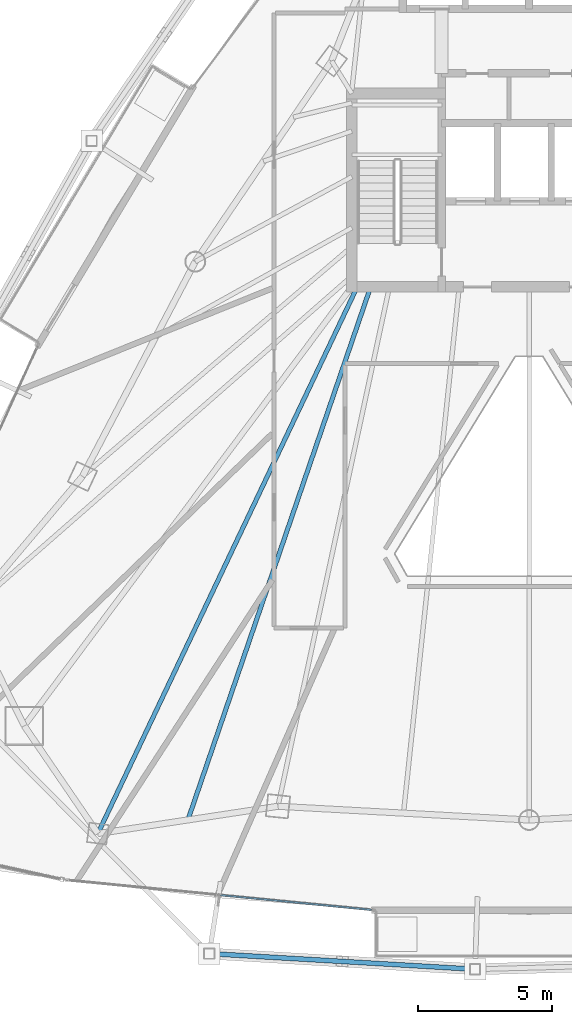
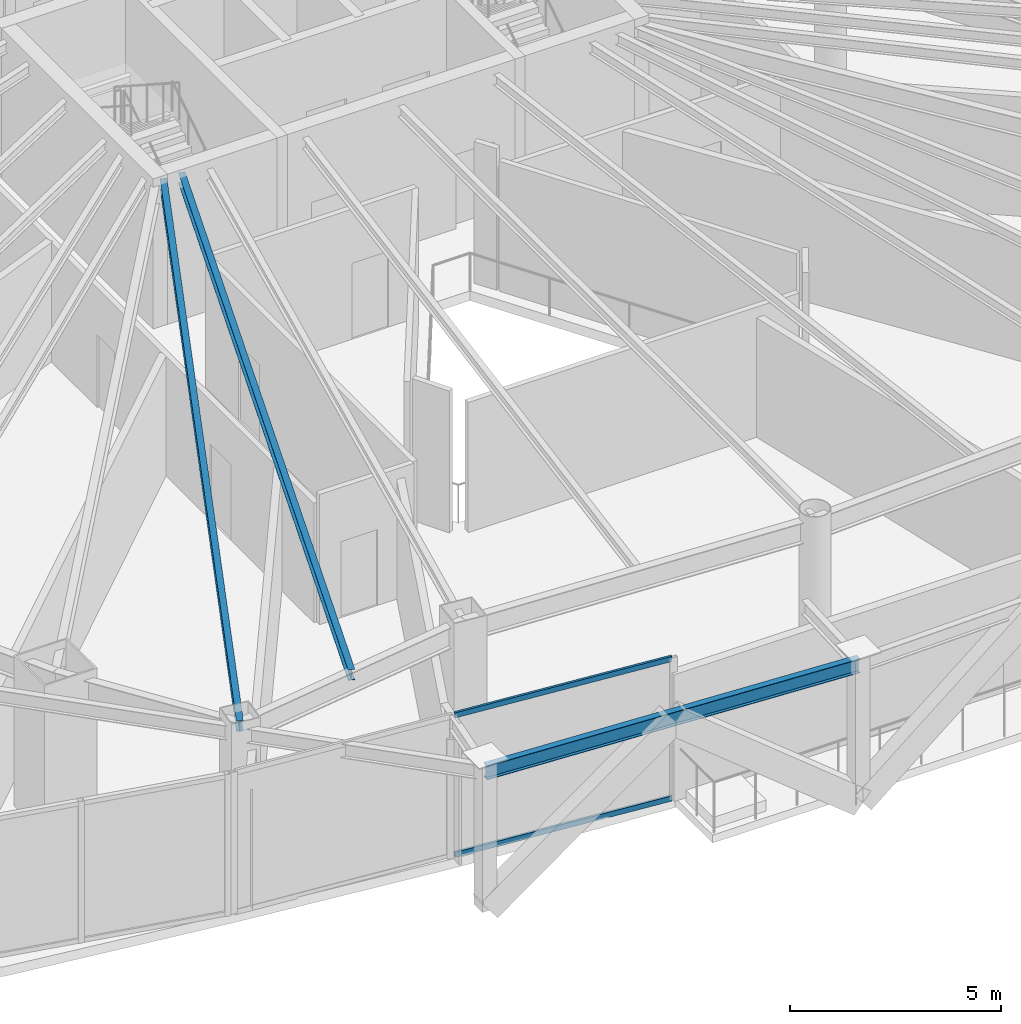
# One storey, part 6 of 28: 3 beams, 2 members, 1 element without a shape of its own.
"""IFC4 building model written with IfcOpenShell, lengths in metres."""

from ifc_helpers import new_model, si_unit, direction, frame, origin, origin_2d, place, context, subcontext, project, spatial, hollow_rectangle, i_section, extrude, material, layer, layer_set, material_profile, profile_set, type_object, element, aggregate, save


model = new_model("IFC4")

# Units and contexts
model_context = context("Model", 3, precision=1e-05, world=origin(), true_north=direction((0.0, 1.0)))
body_context = subcontext(model_context, "Body", "Model", "MODEL_VIEW")
ifc_project = project(units=[si_unit("LENGTHUNIT", "METRE"), si_unit("AREAUNIT", "SQUARE_METRE"), si_unit("VOLUMEUNIT", "CUBIC_METRE"), si_unit("PLANEANGLEUNIT", "RADIAN"), si_unit("MASSUNIT", "GRAM", prefix="KILO")], contexts=[model_context])

# Site, building, storey
site_placement = place(None, origin())
site = spatial("IfcSite", under=ifc_project, at=site_placement, CompositionType="ELEMENT")
building_placement = place(site_placement, origin())
building = spatial("IfcBuilding", under=site, at=building_placement, Name="Orvanel Arch Residences", CompositionType="ELEMENT")
storey_placement = place(building_placement, frame((0.0, 0.0, 146.300048828125)))
storey = spatial("IfcBuildingStorey", under=building, at=storey_placement, Name="L41", CompositionType="ELEMENT", Elevation=146.300048828125)

# Beams
ifc_material_1 = material(Name="Structural steel AS/NZS 3679.1 Grade 300 (300 MPa)", Category="steel")
ifc_material_profile_1 = material_profile(ifc_material_1, i_section(OverallWidth=0.1650390625, OverallDepth=0.303955078125, WebThickness=0.006103515625, FlangeThickness=0.01025390625, at=origin_2d()), Name="310UB40.4")
ifc_profile_set_1 = profile_set([ifc_material_profile_1], Name="Structural steel AS/NZS 3679.1 Grade 300 (300 MPa)")
beam_type_1 = type_object("IfcBeamType", Name="BJ-310UB", PredefinedType="JOIST", material=ifc_profile_set_1)
beam_1_placement = place(storey_placement, frame((26.60009765625, 26.699951171875, 3.9580078125), z_axis=(-0.428614365266, -0.903487534993, 0.0), x_axis=(0.903487534993, -0.428614365266, 0.0)))
element("IfcBeam", 1, at=beam_1_placement, inside=storey, type_object=beam_type_1, Name="L41 MSW Wing Floor Joist", PredefinedType="JOIST", context=body_context, shape_type="SweptSolid", body=[
    extrude(i_section(OverallWidth=0.1650390625, OverallDepth=0.303955078125, WebThickness=0.006103515625, FlangeThickness=0.01025390625, at=origin_2d()), origin(), (0.0, 0.0, 1.0), 22.535888671875),
])
beam_2_placement = place(storey_placement, frame((27.10009765625, 26.699951171875, 3.9580078125), z_axis=(-0.324257108963, -0.945968988544, 0.0), x_axis=(0.945968988544, -0.324257108963, 0.0)))
element("IfcBeam", 2, at=beam_2_placement, inside=storey, type_object=beam_type_1, Name="L41 JADD1 Wing Floor Joist", PredefinedType="JOIST", context=body_context, shape_type="SweptSolid", body=[
    extrude(i_section(OverallWidth=0.1650390625, OverallDepth=0.303955078125, WebThickness=0.006103515625, FlangeThickness=0.01025390625, at=origin_2d()), origin(), (0.0, 0.0, 1.0), 20.987060546875),
])
ifc_material_profile_2 = material_profile(ifc_material_1, i_section(OverallWidth=0.177978515625, OverallDepth=0.406005859375, WebThickness=0.0078125, FlangeThickness=0.0126953125, at=origin_2d()), Name="410UB59.7")
ifc_profile_set_2 = profile_set([ifc_material_profile_2], Name="Structural steel AS/NZS 3679.1 Grade 300 (300 MPa)")
beam_type_2 = type_object("IfcBeamType", Name="OB-410UB-EXT", PredefinedType="SPANDREL", material=ifc_profile_set_2)
beam_3_placement = place(storey_placement, frame((21.092041015625, 1.867919921875, 3.906982421875), z_axis=(0.998269444559, -0.058805748523, 0.0), x_axis=(0.058805748523, 0.998269444559, 0.0)))
element("IfcBeam", 3, at=beam_3_placement, inside=storey, type_object=beam_type_2, Name="L41 Outer Perimeter Floor Ring Beam 05", PredefinedType="SPANDREL", context=body_context, shape_type="SweptSolid", body=[
    extrude(i_section(OverallWidth=0.177978515625, OverallDepth=0.406005859375, WebThickness=0.0078125, FlangeThickness=0.0126953125, at=origin_2d()), origin(), (0.0, 0.0, 1.0), 9.9140625),
])

# Curtain wall, members
ifc_material_2 = material(Name="Bronze-anodised aluminium AA6063-T6", Category="aluminium")
ifc_layer = layer(ifc_material_2, 0.195068359375)
ifc_layer_set = layer_set([ifc_layer], Name="Bronze-anodised aluminium AA6063-T6")
curtain_wall_type = type_object("IfcCurtainWallType", Name="CW6-COM-SYS", PredefinedType="NOTDEFINED", material=ifc_layer_set)
curtain_wall_placement = place(storey_placement, origin())
curtain_wall = element("IfcCurtainWall", 4, at=curtain_wall_placement, inside=storey, type_object=curtain_wall_type, Name="L41 CW6-COM-SYS Unitised Curtain Wall", PredefinedType="NOTDEFINED")
ifc_material_profile_3 = material_profile(ifc_material_2, hollow_rectangle(XDim=0.06494140625, YDim=0.14990234375, WallThickness=0.00390625, at=origin_2d()), Name="ALU150x65x4")
ifc_profile_set_3 = profile_set([ifc_material_profile_3], Name="Bronze-anodised aluminium AA6063-T6")
member_type = type_object("IfcMemberType", Name="TRN-150x65", PredefinedType="USERDEFINED", material=ifc_profile_set_3)
member_1_placement = place(storey_placement, frame((21.501708984375, 4.046875, 0.032470703125), z_axis=(0.995295850654, -0.096882246423, 0.0), x_axis=(0.096882246423, 0.995295850654, 0.0)))
member_1 = element("IfcMember", 5, at=member_1_placement, type_object=member_type, Name="CW-S6 transom 2.1", ObjectType="TRANSOM", PredefinedType="USERDEFINED", context=body_context, shape_type="SweptSolid", body=[
    extrude(hollow_rectangle(XDim=0.06494140625, YDim=0.14990234375, WallThickness=0.00390625, at=origin_2d()), origin(), (0.0, 0.0, 1.0), 5.662353515625),
])
member_2_placement = place(storey_placement, frame((21.501708984375, 4.046875, 4.077392578125), z_axis=(0.995295850654, -0.096882246423, 0.0), x_axis=(0.096882246423, 0.995295850654, 0.0)))
member_2 = element("IfcMember", 6, at=member_2_placement, type_object=member_type, Name="CW-S6 transom 2.2", ObjectType="TRANSOM", PredefinedType="USERDEFINED", context=body_context, shape_type="SweptSolid", body=[
    extrude(hollow_rectangle(XDim=0.06494140625, YDim=0.14990234375, WallThickness=0.00390625, at=origin_2d()), origin(), (0.0, 0.0, 1.0), 5.662353515625),
])
aggregate(curtain_wall, [member_1, member_2])

save(model, "model.ifc")
